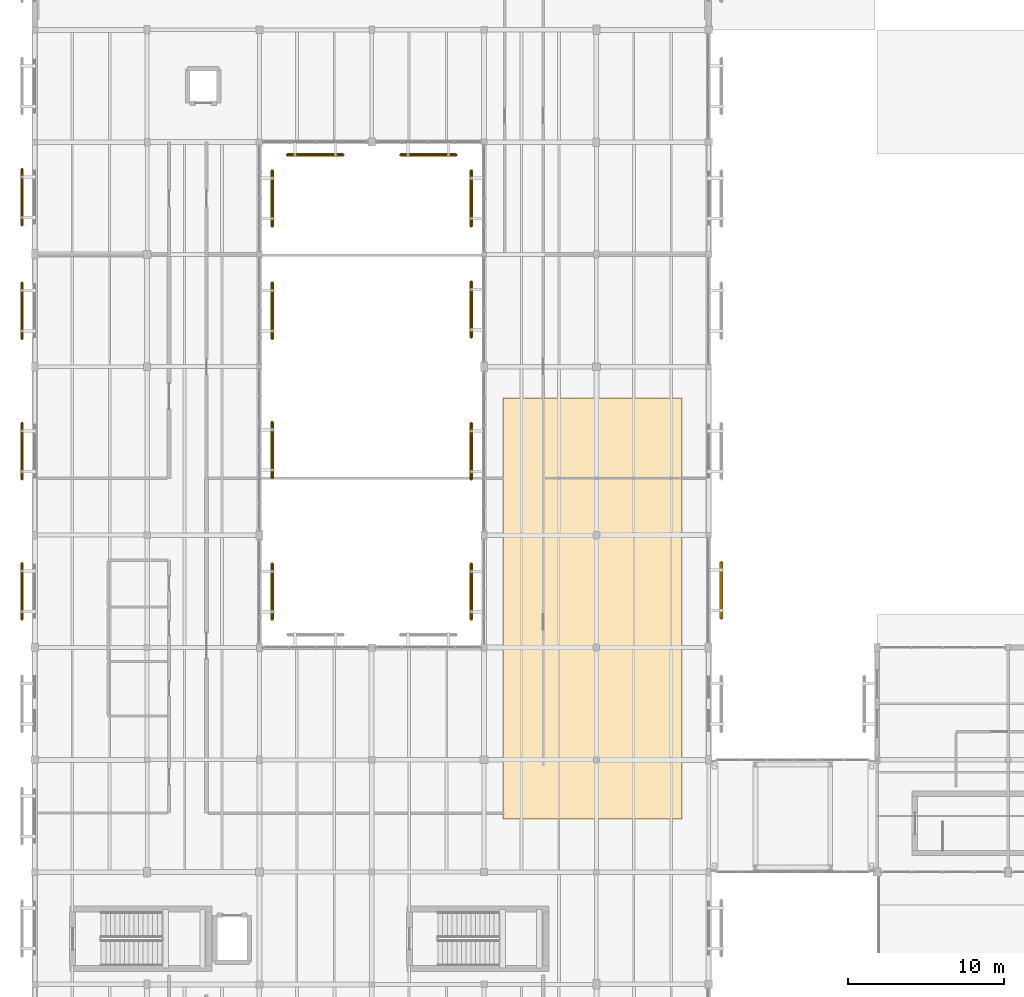
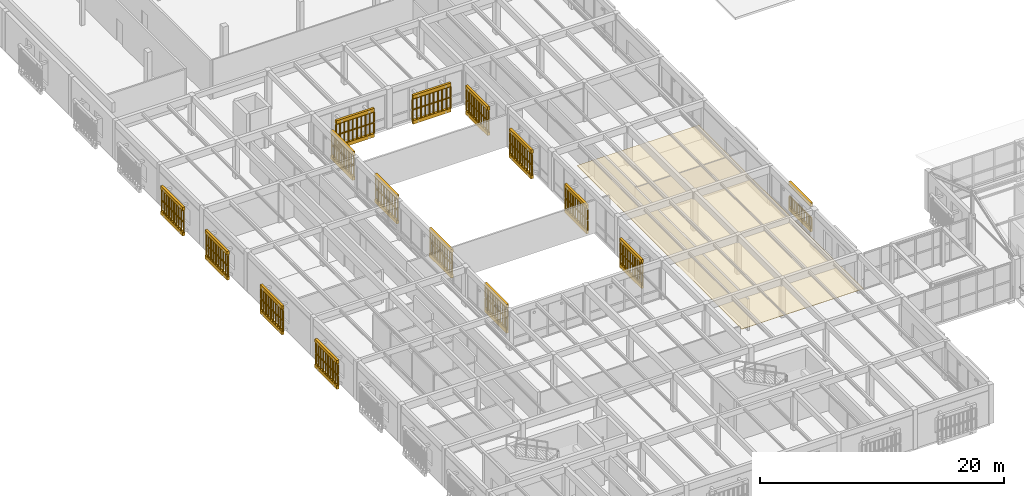
# One storey, part 99 of 112: 31 coverings, 29 railings.
"""IFC4 building model written with IfcOpenShell, lengths in metres."""

from ifc_helpers import new_model, si_unit, direction, frame, origin, origin_2d, place, context, subcontext, project, spatial, polyline, circle, outline, extrude, material, layer, layer_set, type_object, element, save


model = new_model("IFC4")

# Units and contexts
model_context = context("Model", 3, precision=1e-05, world=origin(), true_north=direction((0.0, 1.0)))
body_context = subcontext(model_context, "Body", "Model", "MODEL_VIEW")
ifc_project = project(units=[si_unit("LENGTHUNIT", "METRE"), si_unit("AREAUNIT", "SQUARE_METRE"), si_unit("VOLUMEUNIT", "CUBIC_METRE"), si_unit("PLANEANGLEUNIT", "RADIAN"), si_unit("MASSUNIT", "GRAM", prefix="KILO")], contexts=[model_context])

# Site, building, storey
site_placement = place(None, origin())
site = spatial("IfcSite", under=ifc_project, at=site_placement, CompositionType="ELEMENT")
building_placement = place(site_placement, origin())
building = spatial("IfcBuilding", under=site, at=building_placement, Name="Mazaris Harbour Polytechnic", CompositionType="ELEMENT")
storey_placement = place(building_placement, frame((0.0, 0.0, 13.800048828125)))
storey = spatial("IfcBuildingStorey", under=building, at=storey_placement, Name="L03", CompositionType="ELEMENT", Elevation=13.800048828125)

# Covering
ifc_material_1 = material(Name="Glulam Acoustic Timber Slat", Category="wood")
ifc_layer_1 = layer(ifc_material_1, 0.0400390625, Name="Glulam Acoustic Timber Slat")
ifc_layer_set_1 = layer_set([ifc_layer_1], Name="Glulam Acoustic Timber Slat")
covering_type_1 = type_object("IfcCoveringType", Name="Acoustic Perforated Timber Ceiling 40", PredefinedType="CEILING", material=ifc_layer_set_1)
covering_1_placement = place(storey_placement, frame((0.0, 0.0, 3.099853515625)))
element("IfcCovering", 1, at=covering_1_placement, inside=storey, type_object=covering_type_1, Name="Covering COV-CE-04", PredefinedType="CEILING", context=body_context, shape_type="SweptSolid", body=[
    extrude(outline(polyline([(30.0, 25.0), (41.5, 25.0), (41.5, 52.0), (30.0, 52.0), (30.0, 25.0)])), origin(), (0.0, 0.0, 1.0), 0.0400390625),
])

# Railings
ifc_material_2 = material(Name="Perforated Earth-Coloured Terracotta Block", Category="masonry")
railing_type = type_object("IfcRailingType", Name="Perforated Earth-Block Claustra Lattice 1040", PredefinedType="BALUSTRADE", material=ifc_material_2)
for number, where, name in (
    (2, (-0.820068359375, 37.804931640625, 0.52001953125), "V4 L03 Lower Perforated Terracotta Block Screen 263"),
    (3, (-0.820068359375, 37.804931640625, 1.60986328125), "V4 L03 Upper Perforated Terracotta Block Screen 263"),
    (4, (-0.820068359375, 46.784912109375, 0.52001953125), "V4 L03 Lower Perforated Terracotta Block Screen 264"),
    (5, (-0.820068359375, 46.784912109375, 1.60986328125), "V4 L03 Upper Perforated Terracotta Block Screen 264"),
    (6, (-0.820068359375, 55.784912109375, 0.52001953125), "V4 L03 Lower Perforated Terracotta Block Screen 265"),
    (7, (-0.820068359375, 55.784912109375, 1.60986328125), "V4 L03 Upper Perforated Terracotta Block Screen 265"),
    (8, (-0.820068359375, 63.06494140625, 0.52001953125), "V4 L03 Lower Perforated Terracotta Block Screen 266"),
    (9, (-0.820068359375, 63.06494140625, 1.60986328125), "V4 L03 Upper Perforated Terracotta Block Screen 266"),
):
    element("IfcRailing", number, at=place(storey_placement, frame(where)), inside=storey, type_object=railing_type, Name=name, PredefinedType="BALUSTRADE", context=body_context, shape_type="SweptSolid", body=[
        extrude(circle(Radius=0.06982421875, at=origin_2d()), frame((0.0, 0.0, 1.02001953125), z_axis=(0.0, 1.0, 0.0), x_axis=(-1.0, 0.0, 0.0)), (0.0, 0.0, 1.0), 3.60009765625),
        extrude(circle(Radius=0.074951171875, at=origin_2d()), origin(), (0.0, 0.0, 1.0), 0.9501953125),
        extrude(circle(Radius=0.074951171875, at=origin_2d()), frame((0.0, 0.39990234375, 0.0)), (0.0, 0.0, 1.0), 0.9501953125),
        extrude(circle(Radius=0.074951171875, at=origin_2d()), frame((0.0, 0.800048828125, 0.0)), (0.0, 0.0, 1.0), 0.9501953125),
        extrude(circle(Radius=0.074951171875, at=origin_2d()), frame((0.0, 1.199951171875, 0.0)), (0.0, 0.0, 1.0), 0.9501953125),
        extrude(circle(Radius=0.074951171875, at=origin_2d()), frame((0.0, 1.60009765625, 0.0)), (0.0, 0.0, 1.0), 0.9501953125),
        extrude(circle(Radius=0.074951171875, at=origin_2d()), frame((0.0, 2.0, 0.0)), (0.0, 0.0, 1.0), 0.9501953125),
        extrude(circle(Radius=0.074951171875, at=origin_2d()), frame((0.0, 2.400146484375, 0.0)), (0.0, 0.0, 1.0), 0.9501953125),
        extrude(circle(Radius=0.074951171875, at=origin_2d()), frame((0.0, 2.800048828125, 0.0)), (0.0, 0.0, 1.0), 0.9501953125),
        extrude(circle(Radius=0.074951171875, at=origin_2d()), frame((0.0, 3.2001953125, 0.0)), (0.0, 0.0, 1.0), 0.9501953125),
        extrude(circle(Radius=0.074951171875, at=origin_2d()), frame((0.0, 3.60009765625, 0.0)), (0.0, 0.0, 1.0), 0.9501953125),
    ])
railing_placement = place(storey_placement, frame((44.02001953125, 41.465087890625, 0.52001953125)))
element("IfcRailing", 10, at=railing_placement, inside=storey, type_object=railing_type, Name="V4 L03 Lower Perforated Terracotta Block Screen 274", PredefinedType="BALUSTRADE", context=body_context, shape_type="SweptSolid", body=[
    extrude(circle(Radius=0.06982421875, at=origin_2d()), frame((0.0, 0.0, 1.02001953125), z_axis=(0.0, -1.0, 0.0), x_axis=(1.0, 0.0, 0.0)), (0.0, 0.0, 1.0), 3.60009765625),
    extrude(circle(Radius=0.074951171875, at=origin_2d()), origin(), (0.0, 0.0, 1.0), 0.9501953125),
    extrude(circle(Radius=0.074951171875, at=origin_2d()), frame((0.0, -0.39990234375, 0.0)), (0.0, 0.0, 1.0), 0.9501953125),
    extrude(circle(Radius=0.074951171875, at=origin_2d()), frame((0.0, -0.800048828125, 0.0)), (0.0, 0.0, 1.0), 0.9501953125),
    extrude(circle(Radius=0.074951171875, at=origin_2d()), frame((0.0, -1.199951171875, 0.0)), (0.0, 0.0, 1.0), 0.9501953125),
    extrude(circle(Radius=0.074951171875, at=origin_2d()), frame((0.0, -1.60009765625, 0.0)), (0.0, 0.0, 1.0), 0.9501953125),
    extrude(circle(Radius=0.074951171875, at=origin_2d()), frame((0.0, -2.0, 0.0)), (0.0, 0.0, 1.0), 0.9501953125),
    extrude(circle(Radius=0.074951171875, at=origin_2d()), frame((0.0, -2.400146484375, 0.0)), (0.0, 0.0, 1.0), 0.9501953125),
    extrude(circle(Radius=0.074951171875, at=origin_2d()), frame((0.0, -2.800048828125, 0.0)), (0.0, 0.0, 1.0), 0.9501953125),
    extrude(circle(Radius=0.074951171875, at=origin_2d()), frame((0.0, -3.2001953125, 0.0)), (0.0, 0.0, 1.0), 0.9501953125),
    extrude(circle(Radius=0.074951171875, at=origin_2d()), frame((0.0, -3.60009765625, 0.0)), (0.0, 0.0, 1.0), 0.9501953125),
])
for number, where, name in (
    (11, (19.780029296875, 67.580078125, 0.52001953125), "V4 L03 Lower Perforated Terracotta Block Screen 284"),
    (12, (19.780029296875, 67.580078125, 1.60986328125), "V4 L03 Upper Perforated Terracotta Block Screen 284"),
    (13, (27.030029296875, 67.580078125, 0.52001953125), "V4 L03 Lower Perforated Terracotta Block Screen 285"),
    (14, (27.030029296875, 67.580078125, 1.60986328125), "V4 L03 Upper Perforated Terracotta Block Screen 285"),
):
    element("IfcRailing", number, at=place(storey_placement, frame(where)), inside=storey, type_object=railing_type, Name=name, PredefinedType="BALUSTRADE", context=body_context, shape_type="SweptSolid", body=[
        extrude(circle(Radius=0.06982421875, at=origin_2d()), frame((0.0, 0.0, 1.02001953125), z_axis=(-1.0, 0.0, 0.0), x_axis=(0.0, -1.0, 0.0)), (0.0, 0.0, 1.0), 3.60009765625),
        extrude(circle(Radius=0.074951171875, at=origin_2d()), origin(), (0.0, 0.0, 1.0), 0.9501953125),
        extrude(circle(Radius=0.074951171875, at=origin_2d()), frame((-0.39990234375, 0.0, 0.0)), (0.0, 0.0, 1.0), 0.9501953125),
        extrude(circle(Radius=0.074951171875, at=origin_2d()), frame((-0.800048828125, 0.0, 0.0)), (0.0, 0.0, 1.0), 0.9501953125),
        extrude(circle(Radius=0.074951171875, at=origin_2d()), frame((-1.199951171875, 0.0, 0.0)), (0.0, 0.0, 1.0), 0.9501953125),
        extrude(circle(Radius=0.074951171875, at=origin_2d()), frame((-1.60009765625, 0.0, 0.0)), (0.0, 0.0, 1.0), 0.9501953125),
        extrude(circle(Radius=0.074951171875, at=origin_2d()), frame((-2.0, 0.0, 0.0)), (0.0, 0.0, 1.0), 0.9501953125),
        extrude(circle(Radius=0.074951171875, at=origin_2d()), frame((-2.400146484375, 0.0, 0.0)), (0.0, 0.0, 1.0), 0.9501953125),
        extrude(circle(Radius=0.074951171875, at=origin_2d()), frame((-2.800048828125, 0.0, 0.0)), (0.0, 0.0, 1.0), 0.9501953125),
        extrude(circle(Radius=0.074951171875, at=origin_2d()), frame((-3.2001953125, 0.0, 0.0)), (0.0, 0.0, 1.0), 0.9501953125),
        extrude(circle(Radius=0.074951171875, at=origin_2d()), frame((-3.60009765625, 0.0, 0.0)), (0.0, 0.0, 1.0), 0.9501953125),
    ])
for number, where, name in (
    (15, (15.219970703125, 37.784912109375, 0.52001953125), "V4 L03 Lower Perforated Terracotta Block Screen 286"),
    (16, (15.219970703125, 37.784912109375, 1.60986328125), "V4 L03 Upper Perforated Terracotta Block Screen 286"),
    (17, (15.219970703125, 46.864990234375, 0.52001953125), "V4 L03 Lower Perforated Terracotta Block Screen 287"),
    (18, (15.219970703125, 46.864990234375, 1.60986328125), "V4 L03 Upper Perforated Terracotta Block Screen 287"),
):
    element("IfcRailing", number, at=place(storey_placement, frame(where)), inside=storey, type_object=railing_type, Name=name, PredefinedType="BALUSTRADE", context=body_context, shape_type="SweptSolid", body=[
        extrude(circle(Radius=0.06982421875, at=origin_2d()), frame((0.0, 0.0, 1.02001953125), z_axis=(0.0, 1.0, 0.0), x_axis=(-1.0, 0.0, 0.0)), (0.0, 0.0, 1.0), 3.60009765625),
        extrude(circle(Radius=0.074951171875, at=origin_2d()), origin(), (0.0, 0.0, 1.0), 0.9501953125),
        extrude(circle(Radius=0.074951171875, at=origin_2d()), frame((0.0, 0.39990234375, 0.0)), (0.0, 0.0, 1.0), 0.9501953125),
        extrude(circle(Radius=0.074951171875, at=origin_2d()), frame((0.0, 0.800048828125, 0.0)), (0.0, 0.0, 1.0), 0.9501953125),
        extrude(circle(Radius=0.074951171875, at=origin_2d()), frame((0.0, 1.199951171875, 0.0)), (0.0, 0.0, 1.0), 0.9501953125),
        extrude(circle(Radius=0.074951171875, at=origin_2d()), frame((0.0, 1.60009765625, 0.0)), (0.0, 0.0, 1.0), 0.9501953125),
        extrude(circle(Radius=0.074951171875, at=origin_2d()), frame((0.0, 2.0, 0.0)), (0.0, 0.0, 1.0), 0.9501953125),
        extrude(circle(Radius=0.074951171875, at=origin_2d()), frame((0.0, 2.400146484375, 0.0)), (0.0, 0.0, 1.0), 0.9501953125),
        extrude(circle(Radius=0.074951171875, at=origin_2d()), frame((0.0, 2.800048828125, 0.0)), (0.0, 0.0, 1.0), 0.9501953125),
        extrude(circle(Radius=0.074951171875, at=origin_2d()), frame((0.0, 3.2001953125, 0.0)), (0.0, 0.0, 1.0), 0.9501953125),
        extrude(circle(Radius=0.074951171875, at=origin_2d()), frame((0.0, 3.60009765625, 0.0)), (0.0, 0.0, 1.0), 0.9501953125),
    ])
for number, where, name in (
    (19, (15.219970703125, 55.7900390625, 0.52001953125), "V4 L03 Lower Perforated Terracotta Block Screen 288"),
    (20, (15.219970703125, 55.7900390625, 1.60986328125), "V4 L03 Upper Perforated Terracotta Block Screen 288"),
):
    element("IfcRailing", number, at=place(storey_placement, frame(where)), inside=storey, type_object=railing_type, Name=name, PredefinedType="BALUSTRADE", context=body_context, shape_type="SweptSolid", body=[
        extrude(circle(Radius=0.06982421875, at=origin_2d()), frame((0.0, 0.0, 1.02001953125), z_axis=(0.0, 1.0, 0.0), x_axis=(-1.0, 0.0, 0.0)), (0.0, 0.0, 1.0), 3.599853515625),
        extrude(circle(Radius=0.074951171875, at=origin_2d()), origin(), (0.0, 0.0, 1.0), 0.9501953125),
        extrude(circle(Radius=0.074951171875, at=origin_2d()), frame((0.0, 0.449951171875, 0.0)), (0.0, 0.0, 1.0), 0.9501953125),
        extrude(circle(Radius=0.074951171875, at=origin_2d()), frame((0.0, 0.89990234375, 0.0)), (0.0, 0.0, 1.0), 0.9501953125),
        extrude(circle(Radius=0.074951171875, at=origin_2d()), frame((0.0, 1.349853515625, 0.0)), (0.0, 0.0, 1.0), 0.9501953125),
        extrude(circle(Radius=0.074951171875, at=origin_2d()), frame((0.0, 1.7998046875, 0.0)), (0.0, 0.0, 1.0), 0.9501953125),
        extrude(circle(Radius=0.074951171875, at=origin_2d()), frame((0.0, 2.25, 0.0)), (0.0, 0.0, 1.0), 0.9501953125),
        extrude(circle(Radius=0.074951171875, at=origin_2d()), frame((0.0, 2.699951171875, 0.0)), (0.0, 0.0, 1.0), 0.9501953125),
        extrude(circle(Radius=0.074951171875, at=origin_2d()), frame((0.0, 3.14990234375, 0.0)), (0.0, 0.0, 1.0), 0.9501953125),
        extrude(circle(Radius=0.074951171875, at=origin_2d()), frame((0.0, 3.599853515625, 0.0)), (0.0, 0.0, 1.0), 0.9501953125),
    ])
for number, where, name in (
    (21, (15.219970703125, 62.989990234375, 0.52001953125), "V4 L03 Lower Perforated Terracotta Block Screen 289"),
    (22, (15.219970703125, 62.989990234375, 1.60986328125), "V4 L03 Upper Perforated Terracotta Block Screen 289"),
):
    element("IfcRailing", number, at=place(storey_placement, frame(where)), inside=storey, type_object=railing_type, Name=name, PredefinedType="BALUSTRADE", context=body_context, shape_type="SweptSolid", body=[
        extrude(circle(Radius=0.06982421875, at=origin_2d()), frame((0.0, 0.0, 1.02001953125), z_axis=(0.0, 1.0, 0.0), x_axis=(-1.0, 0.0, 0.0)), (0.0, 0.0, 1.0), 3.60009765625),
        extrude(circle(Radius=0.074951171875, at=origin_2d()), origin(), (0.0, 0.0, 1.0), 0.9501953125),
        extrude(circle(Radius=0.074951171875, at=origin_2d()), frame((0.0, 0.39990234375, 0.0)), (0.0, 0.0, 1.0), 0.9501953125),
        extrude(circle(Radius=0.074951171875, at=origin_2d()), frame((0.0, 0.800048828125, 0.0)), (0.0, 0.0, 1.0), 0.9501953125),
        extrude(circle(Radius=0.074951171875, at=origin_2d()), frame((0.0, 1.199951171875, 0.0)), (0.0, 0.0, 1.0), 0.9501953125),
        extrude(circle(Radius=0.074951171875, at=origin_2d()), frame((0.0, 1.60009765625, 0.0)), (0.0, 0.0, 1.0), 0.9501953125),
        extrude(circle(Radius=0.074951171875, at=origin_2d()), frame((0.0, 2.0, 0.0)), (0.0, 0.0, 1.0), 0.9501953125),
        extrude(circle(Radius=0.074951171875, at=origin_2d()), frame((0.0, 2.400146484375, 0.0)), (0.0, 0.0, 1.0), 0.9501953125),
        extrude(circle(Radius=0.074951171875, at=origin_2d()), frame((0.0, 2.800048828125, 0.0)), (0.0, 0.0, 1.0), 0.9501953125),
        extrude(circle(Radius=0.074951171875, at=origin_2d()), frame((0.0, 3.2001953125, 0.0)), (0.0, 0.0, 1.0), 0.9501953125),
        extrude(circle(Radius=0.074951171875, at=origin_2d()), frame((0.0, 3.60009765625, 0.0)), (0.0, 0.0, 1.0), 0.9501953125),
    ])
for number, where, name in (
    (23, (27.97998046875, 41.385009765625, 0.52001953125), "V4 L03 Lower Perforated Terracotta Block Screen 290"),
    (24, (27.97998046875, 41.385009765625, 1.60986328125), "V4 L03 Upper Perforated Terracotta Block Screen 290"),
    (25, (27.97998046875, 50.385009765625, 0.52001953125), "V4 L03 Lower Perforated Terracotta Block Screen 291"),
    (26, (27.97998046875, 50.385009765625, 1.60986328125), "V4 L03 Upper Perforated Terracotta Block Screen 291"),
    (27, (27.97998046875, 59.465087890625, 0.52001953125), "V4 L03 Lower Perforated Terracotta Block Screen 292"),
    (28, (27.97998046875, 59.465087890625, 1.60986328125), "V4 L03 Upper Perforated Terracotta Block Screen 292"),
    (29, (27.97998046875, 66.590087890625, 0.52001953125), "V4 L03 Lower Perforated Terracotta Block Screen 293"),
    (30, (27.97998046875, 66.590087890625, 1.60986328125), "V4 L03 Upper Perforated Terracotta Block Screen 293"),
):
    element("IfcRailing", number, at=place(storey_placement, frame(where)), inside=storey, type_object=railing_type, Name=name, PredefinedType="BALUSTRADE", context=body_context, shape_type="SweptSolid", body=[
        extrude(circle(Radius=0.06982421875, at=origin_2d()), frame((0.0, 0.0, 1.02001953125), z_axis=(0.0, -1.0, 0.0), x_axis=(1.0, 0.0, 0.0)), (0.0, 0.0, 1.0), 3.60009765625),
        extrude(circle(Radius=0.074951171875, at=origin_2d()), origin(), (0.0, 0.0, 1.0), 0.9501953125),
        extrude(circle(Radius=0.074951171875, at=origin_2d()), frame((0.0, -0.39990234375, 0.0)), (0.0, 0.0, 1.0), 0.9501953125),
        extrude(circle(Radius=0.074951171875, at=origin_2d()), frame((0.0, -0.800048828125, 0.0)), (0.0, 0.0, 1.0), 0.9501953125),
        extrude(circle(Radius=0.074951171875, at=origin_2d()), frame((0.0, -1.199951171875, 0.0)), (0.0, 0.0, 1.0), 0.9501953125),
        extrude(circle(Radius=0.074951171875, at=origin_2d()), frame((0.0, -1.60009765625, 0.0)), (0.0, 0.0, 1.0), 0.9501953125),
        extrude(circle(Radius=0.074951171875, at=origin_2d()), frame((0.0, -2.0, 0.0)), (0.0, 0.0, 1.0), 0.9501953125),
        extrude(circle(Radius=0.074951171875, at=origin_2d()), frame((0.0, -2.400146484375, 0.0)), (0.0, 0.0, 1.0), 0.9501953125),
        extrude(circle(Radius=0.074951171875, at=origin_2d()), frame((0.0, -2.800048828125, 0.0)), (0.0, 0.0, 1.0), 0.9501953125),
        extrude(circle(Radius=0.074951171875, at=origin_2d()), frame((0.0, -3.2001953125, 0.0)), (0.0, 0.0, 1.0), 0.9501953125),
        extrude(circle(Radius=0.074951171875, at=origin_2d()), frame((0.0, -3.60009765625, 0.0)), (0.0, 0.0, 1.0), 0.9501953125),
    ])

# Coverings
ifc_material_3 = material(Name="Perforated Earth-Coloured Terracotta Block", Category="masonry")
ifc_layer_2 = layer(ifc_material_3, 0.219970703125, Name="Perforated Earth-Coloured Terracotta Block")
ifc_layer_set_2 = layer_set([ifc_layer_2], Name="Perforated Earth-Coloured Terracotta Block")
covering_type_2 = type_object("IfcCoveringType", Name="Terracotta Screen Course Cladding 220", PredefinedType="CLADDING", material=ifc_layer_set_2)
covering_2_placement = place(storey_placement, frame((0.0, 0.0, 0.159912109375)))
element("IfcCovering", 31, at=covering_2_placement, inside=storey, type_object=covering_type_2, Name="V4 L03 Perforated Screen Sill Course 263", PredefinedType="CLADDING", context=body_context, shape_type="SweptSolid", body=[
    extrude(outline(polyline([(-0.7099609375, 37.804931640625), (-0.7099609375, 41.405029296875), (-0.929931640625, 41.405029296875), (-0.929931640625, 37.804931640625), (-0.7099609375, 37.804931640625)])), origin(), (0.0, 0.0, 1.0), 0.360107421875),
])
covering_3_placement = place(storey_placement, frame((0.0, 0.0, 2.699951171875)))
element("IfcCovering", 32, at=covering_3_placement, inside=storey, type_object=covering_type_2, Name="V4 L03 Perforated Screen Lintel Course 263", PredefinedType="CLADDING", context=body_context, shape_type="SweptSolid", body=[
    extrude(outline(polyline([(-0.7099609375, 37.804931640625), (-0.7099609375, 41.405029296875), (-0.929931640625, 41.405029296875), (-0.929931640625, 37.804931640625), (-0.7099609375, 37.804931640625)])), origin(), (0.0, 0.0, 1.0), 0.340087890625),
])
covering_4_placement = place(storey_placement, frame((0.0, 0.0, 0.159912109375)))
element("IfcCovering", 33, at=covering_4_placement, inside=storey, type_object=covering_type_2, Name="V4 L03 Perforated Screen Sill Course 264", PredefinedType="CLADDING", context=body_context, shape_type="SweptSolid", body=[
    extrude(outline(polyline([(-0.7099609375, 46.784912109375), (-0.7099609375, 50.385009765625), (-0.929931640625, 50.385009765625), (-0.929931640625, 46.784912109375), (-0.7099609375, 46.784912109375)])), origin(), (0.0, 0.0, 1.0), 0.360107421875),
])
covering_5_placement = place(storey_placement, frame((0.0, 0.0, 2.699951171875)))
element("IfcCovering", 34, at=covering_5_placement, inside=storey, type_object=covering_type_2, Name="V4 L03 Perforated Screen Lintel Course 264", PredefinedType="CLADDING", context=body_context, shape_type="SweptSolid", body=[
    extrude(outline(polyline([(-0.7099609375, 46.784912109375), (-0.7099609375, 50.385009765625), (-0.929931640625, 50.385009765625), (-0.929931640625, 46.784912109375), (-0.7099609375, 46.784912109375)])), origin(), (0.0, 0.0, 1.0), 0.340087890625),
])
covering_6_placement = place(storey_placement, frame((0.0, 0.0, 0.159912109375)))
element("IfcCovering", 35, at=covering_6_placement, inside=storey, type_object=covering_type_2, Name="V4 L03 Perforated Screen Sill Course 265", PredefinedType="CLADDING", context=body_context, shape_type="SweptSolid", body=[
    extrude(outline(polyline([(-0.7099609375, 55.784912109375), (-0.7099609375, 59.385009765625), (-0.929931640625, 59.385009765625), (-0.929931640625, 55.784912109375), (-0.7099609375, 55.784912109375)])), origin(), (0.0, 0.0, 1.0), 0.360107421875),
])
covering_7_placement = place(storey_placement, frame((0.0, 0.0, 2.699951171875)))
element("IfcCovering", 36, at=covering_7_placement, inside=storey, type_object=covering_type_2, Name="V4 L03 Perforated Screen Lintel Course 265", PredefinedType="CLADDING", context=body_context, shape_type="SweptSolid", body=[
    extrude(outline(polyline([(-0.7099609375, 55.784912109375), (-0.7099609375, 59.385009765625), (-0.929931640625, 59.385009765625), (-0.929931640625, 55.784912109375), (-0.7099609375, 55.784912109375)])), origin(), (0.0, 0.0, 1.0), 0.340087890625),
])
covering_8_placement = place(storey_placement, frame((0.0, 0.0, 0.159912109375)))
element("IfcCovering", 37, at=covering_8_placement, inside=storey, type_object=covering_type_2, Name="V4 L03 Perforated Screen Sill Course 266", PredefinedType="CLADDING", context=body_context, shape_type="SweptSolid", body=[
    extrude(outline(polyline([(-0.7099609375, 63.06494140625), (-0.7099609375, 66.6650390625), (-0.929931640625, 66.6650390625), (-0.929931640625, 63.06494140625), (-0.7099609375, 63.06494140625)])), origin(), (0.0, 0.0, 1.0), 0.360107421875),
])
covering_9_placement = place(storey_placement, frame((0.0, 0.0, 2.699951171875)))
element("IfcCovering", 38, at=covering_9_placement, inside=storey, type_object=covering_type_2, Name="V4 L03 Perforated Screen Lintel Course 266", PredefinedType="CLADDING", context=body_context, shape_type="SweptSolid", body=[
    extrude(outline(polyline([(-0.7099609375, 63.06494140625), (-0.7099609375, 66.6650390625), (-0.929931640625, 66.6650390625), (-0.929931640625, 63.06494140625), (-0.7099609375, 63.06494140625)])), origin(), (0.0, 0.0, 1.0), 0.340087890625),
])
covering_10_placement = place(storey_placement, frame((0.0, 0.0, 0.159912109375)))
element("IfcCovering", 39, at=covering_10_placement, inside=storey, type_object=covering_type_2, Name="V4 L03 Perforated Screen Sill Course 274", PredefinedType="CLADDING", context=body_context, shape_type="SweptSolid", body=[
    extrude(outline(polyline([(43.909912109375, 41.465087890625), (43.909912109375, 37.864990234375), (44.1298828125, 37.864990234375), (44.1298828125, 41.465087890625), (43.909912109375, 41.465087890625)])), origin(), (0.0, 0.0, 1.0), 0.360107421875),
])
covering_11_placement = place(storey_placement, frame((0.0, 0.0, 2.699951171875)))
element("IfcCovering", 40, at=covering_11_placement, inside=storey, type_object=covering_type_2, Name="V4 L03 Perforated Screen Lintel Course 274", PredefinedType="CLADDING", context=body_context, shape_type="SweptSolid", body=[
    extrude(outline(polyline([(43.909912109375, 41.465087890625), (43.909912109375, 37.864990234375), (44.1298828125, 37.864990234375), (44.1298828125, 41.465087890625), (43.909912109375, 41.465087890625)])), origin(), (0.0, 0.0, 1.0), 0.340087890625),
])
covering_12_placement = place(storey_placement, frame((0.0, 0.0, 0.159912109375)))
element("IfcCovering", 41, at=covering_12_placement, inside=storey, type_object=covering_type_2, Name="V4 L03 Perforated Screen Sill Course 284", PredefinedType="CLADDING", context=body_context, shape_type="SweptSolid", body=[
    extrude(outline(polyline([(19.780029296875, 67.68994140625), (16.179931640625, 67.68994140625), (16.179931640625, 67.469970703125), (19.780029296875, 67.469970703125), (19.780029296875, 67.68994140625)])), origin(), (0.0, 0.0, 1.0), 0.360107421875),
])
covering_13_placement = place(storey_placement, frame((0.0, 0.0, 2.699951171875)))
element("IfcCovering", 42, at=covering_13_placement, inside=storey, type_object=covering_type_2, Name="V4 L03 Perforated Screen Lintel Course 284", PredefinedType="CLADDING", context=body_context, shape_type="SweptSolid", body=[
    extrude(outline(polyline([(19.780029296875, 67.68994140625), (16.179931640625, 67.68994140625), (16.179931640625, 67.469970703125), (19.780029296875, 67.469970703125), (19.780029296875, 67.68994140625)])), origin(), (0.0, 0.0, 1.0), 0.340087890625),
])
covering_14_placement = place(storey_placement, frame((0.0, 0.0, 0.159912109375)))
element("IfcCovering", 43, at=covering_14_placement, inside=storey, type_object=covering_type_2, Name="V4 L03 Perforated Screen Sill Course 285", PredefinedType="CLADDING", context=body_context, shape_type="SweptSolid", body=[
    extrude(outline(polyline([(27.030029296875, 67.68994140625), (23.429931640625, 67.68994140625), (23.429931640625, 67.469970703125), (27.030029296875, 67.469970703125), (27.030029296875, 67.68994140625)])), origin(), (0.0, 0.0, 1.0), 0.360107421875),
])
covering_15_placement = place(storey_placement, frame((0.0, 0.0, 2.699951171875)))
element("IfcCovering", 44, at=covering_15_placement, inside=storey, type_object=covering_type_2, Name="V4 L03 Perforated Screen Lintel Course 285", PredefinedType="CLADDING", context=body_context, shape_type="SweptSolid", body=[
    extrude(outline(polyline([(27.030029296875, 67.68994140625), (23.429931640625, 67.68994140625), (23.429931640625, 67.469970703125), (27.030029296875, 67.469970703125), (27.030029296875, 67.68994140625)])), origin(), (0.0, 0.0, 1.0), 0.340087890625),
])
covering_16_placement = place(storey_placement, frame((0.0, 0.0, 0.159912109375)))
element("IfcCovering", 45, at=covering_16_placement, inside=storey, type_object=covering_type_2, Name="V4 L03 Perforated Screen Sill Course 286", PredefinedType="CLADDING", context=body_context, shape_type="SweptSolid", body=[
    extrude(outline(polyline([(15.110107421875, 37.784912109375), (15.110107421875, 41.385009765625), (15.330078125, 41.385009765625), (15.330078125, 37.784912109375), (15.110107421875, 37.784912109375)])), origin(), (0.0, 0.0, 1.0), 0.360107421875),
])
covering_17_placement = place(storey_placement, frame((0.0, 0.0, 2.699951171875)))
element("IfcCovering", 46, at=covering_17_placement, inside=storey, type_object=covering_type_2, Name="V4 L03 Perforated Screen Lintel Course 286", PredefinedType="CLADDING", context=body_context, shape_type="SweptSolid", body=[
    extrude(outline(polyline([(15.110107421875, 37.784912109375), (15.110107421875, 41.385009765625), (15.330078125, 41.385009765625), (15.330078125, 37.784912109375), (15.110107421875, 37.784912109375)])), origin(), (0.0, 0.0, 1.0), 0.340087890625),
])
covering_18_placement = place(storey_placement, frame((0.0, 0.0, 0.159912109375)))
element("IfcCovering", 47, at=covering_18_placement, inside=storey, type_object=covering_type_2, Name="V4 L03 Perforated Screen Sill Course 287", PredefinedType="CLADDING", context=body_context, shape_type="SweptSolid", body=[
    extrude(outline(polyline([(15.110107421875, 46.864990234375), (15.110107421875, 50.465087890625), (15.330078125, 50.465087890625), (15.330078125, 46.864990234375), (15.110107421875, 46.864990234375)])), origin(), (0.0, 0.0, 1.0), 0.360107421875),
])
covering_19_placement = place(storey_placement, frame((0.0, 0.0, 2.699951171875)))
element("IfcCovering", 48, at=covering_19_placement, inside=storey, type_object=covering_type_2, Name="V4 L03 Perforated Screen Lintel Course 287", PredefinedType="CLADDING", context=body_context, shape_type="SweptSolid", body=[
    extrude(outline(polyline([(15.110107421875, 46.864990234375), (15.110107421875, 50.465087890625), (15.330078125, 50.465087890625), (15.330078125, 46.864990234375), (15.110107421875, 46.864990234375)])), origin(), (0.0, 0.0, 1.0), 0.340087890625),
])
covering_20_placement = place(storey_placement, frame((0.0, 0.0, 0.159912109375)))
element("IfcCovering", 49, at=covering_20_placement, inside=storey, type_object=covering_type_2, Name="V4 L03 Perforated Screen Sill Course 288", PredefinedType="CLADDING", context=body_context, shape_type="SweptSolid", body=[
    extrude(outline(polyline([(15.110107421875, 55.7900390625), (15.110107421875, 59.389892578125), (15.330078125, 59.389892578125), (15.330078125, 55.7900390625), (15.110107421875, 55.7900390625)])), origin(), (0.0, 0.0, 1.0), 0.360107421875),
])
covering_21_placement = place(storey_placement, frame((0.0, 0.0, 2.699951171875)))
element("IfcCovering", 50, at=covering_21_placement, inside=storey, type_object=covering_type_2, Name="V4 L03 Perforated Screen Lintel Course 288", PredefinedType="CLADDING", context=body_context, shape_type="SweptSolid", body=[
    extrude(outline(polyline([(15.110107421875, 55.7900390625), (15.110107421875, 59.389892578125), (15.330078125, 59.389892578125), (15.330078125, 55.7900390625), (15.110107421875, 55.7900390625)])), origin(), (0.0, 0.0, 1.0), 0.340087890625),
])
covering_22_placement = place(storey_placement, frame((0.0, 0.0, 0.159912109375)))
element("IfcCovering", 51, at=covering_22_placement, inside=storey, type_object=covering_type_2, Name="V4 L03 Perforated Screen Sill Course 289", PredefinedType="CLADDING", context=body_context, shape_type="SweptSolid", body=[
    extrude(outline(polyline([(15.110107421875, 62.989990234375), (15.110107421875, 66.590087890625), (15.330078125, 66.590087890625), (15.330078125, 62.989990234375), (15.110107421875, 62.989990234375)])), origin(), (0.0, 0.0, 1.0), 0.360107421875),
])
covering_23_placement = place(storey_placement, frame((0.0, 0.0, 2.699951171875)))
element("IfcCovering", 52, at=covering_23_placement, inside=storey, type_object=covering_type_2, Name="V4 L03 Perforated Screen Lintel Course 289", PredefinedType="CLADDING", context=body_context, shape_type="SweptSolid", body=[
    extrude(outline(polyline([(15.110107421875, 62.989990234375), (15.110107421875, 66.590087890625), (15.330078125, 66.590087890625), (15.330078125, 62.989990234375), (15.110107421875, 62.989990234375)])), origin(), (0.0, 0.0, 1.0), 0.340087890625),
])
covering_24_placement = place(storey_placement, frame((0.0, 0.0, 0.159912109375)))
element("IfcCovering", 53, at=covering_24_placement, inside=storey, type_object=covering_type_2, Name="V4 L03 Perforated Screen Sill Course 290", PredefinedType="CLADDING", context=body_context, shape_type="SweptSolid", body=[
    extrude(outline(polyline([(28.090087890625, 41.385009765625), (28.090087890625, 37.784912109375), (27.8701171875, 37.784912109375), (27.8701171875, 41.385009765625), (28.090087890625, 41.385009765625)])), origin(), (0.0, 0.0, 1.0), 0.360107421875),
])
covering_25_placement = place(storey_placement, frame((0.0, 0.0, 2.699951171875)))
element("IfcCovering", 54, at=covering_25_placement, inside=storey, type_object=covering_type_2, Name="V4 L03 Perforated Screen Lintel Course 290", PredefinedType="CLADDING", context=body_context, shape_type="SweptSolid", body=[
    extrude(outline(polyline([(28.090087890625, 41.385009765625), (28.090087890625, 37.784912109375), (27.8701171875, 37.784912109375), (27.8701171875, 41.385009765625), (28.090087890625, 41.385009765625)])), origin(), (0.0, 0.0, 1.0), 0.340087890625),
])
covering_26_placement = place(storey_placement, frame((0.0, 0.0, 0.159912109375)))
element("IfcCovering", 55, at=covering_26_placement, inside=storey, type_object=covering_type_2, Name="V4 L03 Perforated Screen Sill Course 291", PredefinedType="CLADDING", context=body_context, shape_type="SweptSolid", body=[
    extrude(outline(polyline([(28.090087890625, 50.385009765625), (28.090087890625, 46.784912109375), (27.8701171875, 46.784912109375), (27.8701171875, 50.385009765625), (28.090087890625, 50.385009765625)])), origin(), (0.0, 0.0, 1.0), 0.360107421875),
])
covering_27_placement = place(storey_placement, frame((0.0, 0.0, 2.699951171875)))
element("IfcCovering", 56, at=covering_27_placement, inside=storey, type_object=covering_type_2, Name="V4 L03 Perforated Screen Lintel Course 291", PredefinedType="CLADDING", context=body_context, shape_type="SweptSolid", body=[
    extrude(outline(polyline([(28.090087890625, 50.385009765625), (28.090087890625, 46.784912109375), (27.8701171875, 46.784912109375), (27.8701171875, 50.385009765625), (28.090087890625, 50.385009765625)])), origin(), (0.0, 0.0, 1.0), 0.340087890625),
])
covering_28_placement = place(storey_placement, frame((0.0, 0.0, 0.159912109375)))
element("IfcCovering", 57, at=covering_28_placement, inside=storey, type_object=covering_type_2, Name="V4 L03 Perforated Screen Sill Course 292", PredefinedType="CLADDING", context=body_context, shape_type="SweptSolid", body=[
    extrude(outline(polyline([(28.090087890625, 59.465087890625), (28.090087890625, 55.864990234375), (27.8701171875, 55.864990234375), (27.8701171875, 59.465087890625), (28.090087890625, 59.465087890625)])), origin(), (0.0, 0.0, 1.0), 0.360107421875),
])
covering_29_placement = place(storey_placement, frame((0.0, 0.0, 2.699951171875)))
element("IfcCovering", 58, at=covering_29_placement, inside=storey, type_object=covering_type_2, Name="V4 L03 Perforated Screen Lintel Course 292", PredefinedType="CLADDING", context=body_context, shape_type="SweptSolid", body=[
    extrude(outline(polyline([(28.090087890625, 59.465087890625), (28.090087890625, 55.864990234375), (27.8701171875, 55.864990234375), (27.8701171875, 59.465087890625), (28.090087890625, 59.465087890625)])), origin(), (0.0, 0.0, 1.0), 0.340087890625),
])
covering_30_placement = place(storey_placement, frame((0.0, 0.0, 0.159912109375)))
element("IfcCovering", 59, at=covering_30_placement, inside=storey, type_object=covering_type_2, Name="V4 L03 Perforated Screen Sill Course 293", PredefinedType="CLADDING", context=body_context, shape_type="SweptSolid", body=[
    extrude(outline(polyline([(28.090087890625, 66.590087890625), (28.090087890625, 62.989990234375), (27.8701171875, 62.989990234375), (27.8701171875, 66.590087890625), (28.090087890625, 66.590087890625)])), origin(), (0.0, 0.0, 1.0), 0.360107421875),
])
covering_31_placement = place(storey_placement, frame((0.0, 0.0, 2.699951171875)))
element("IfcCovering", 60, at=covering_31_placement, inside=storey, type_object=covering_type_2, Name="V4 L03 Perforated Screen Lintel Course 293", PredefinedType="CLADDING", context=body_context, shape_type="SweptSolid", body=[
    extrude(outline(polyline([(28.090087890625, 66.590087890625), (28.090087890625, 62.989990234375), (27.8701171875, 62.989990234375), (27.8701171875, 66.590087890625), (28.090087890625, 66.590087890625)])), origin(), (0.0, 0.0, 1.0), 0.340087890625),
])

save(model, "model.ifc")
